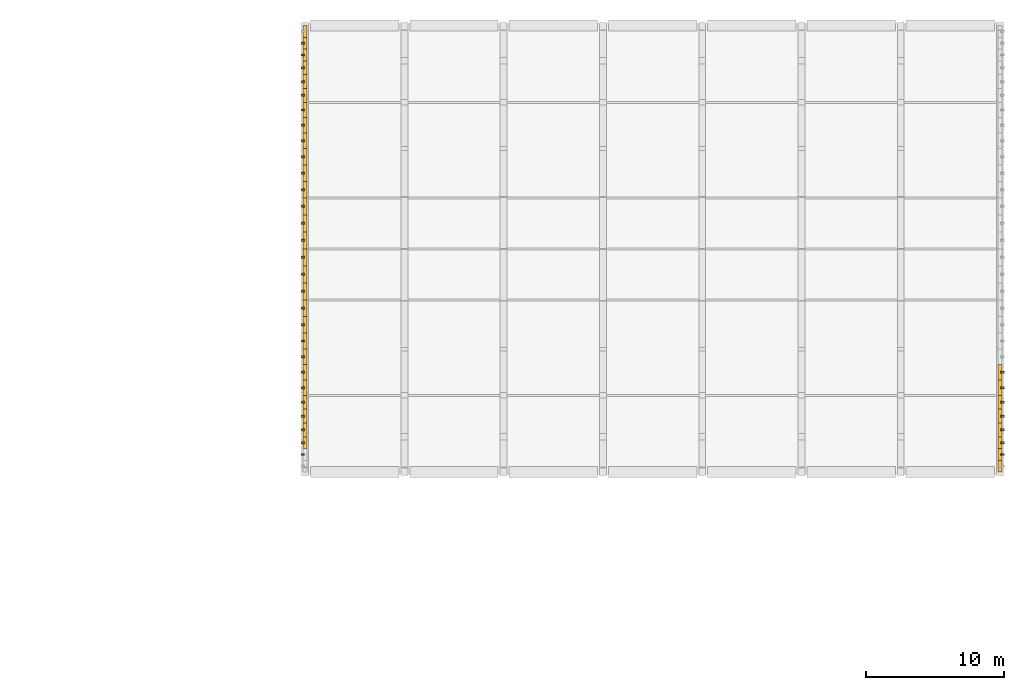
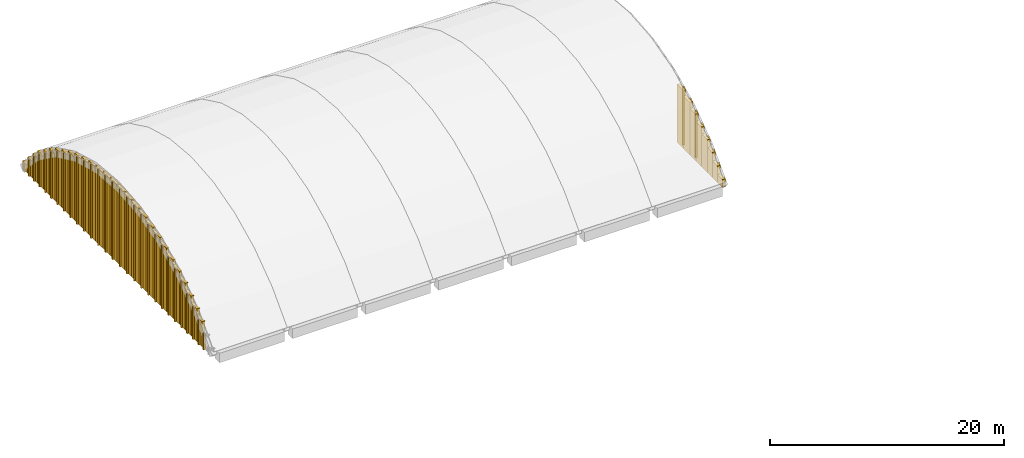
# One storey, part 15 of 16: 71 coverings.
"""IFC4 building model written with IfcOpenShell, lengths in metres."""

from ifc_helpers import new_model, si_unit, direction, frame, frame_2d, origin, origin_2d, place, context, subcontext, project, spatial, rectangle, extrude, material, layer, layer_set, type_object, element, save


model = new_model("IFC4")

# Units and contexts
model_context = context("Model", 3, precision=1e-05, world=origin(), true_north=direction((0.0, 1.0)))
body_context = subcontext(model_context, "Body", "Model", "MODEL_VIEW")
ifc_project = project(units=[si_unit("LENGTHUNIT", "METRE"), si_unit("AREAUNIT", "SQUARE_METRE"), si_unit("VOLUMEUNIT", "CUBIC_METRE"), si_unit("PLANEANGLEUNIT", "RADIAN"), si_unit("MASSUNIT", "GRAM", prefix="KILO")], contexts=[model_context])

# Site, building, storey
site_placement = place(None, origin())
site = spatial("IfcSite", under=ifc_project, at=site_placement, CompositionType="ELEMENT")
building_placement = place(site_placement, origin())
building = spatial("IfcBuilding", under=site, at=building_placement, Name="Sardonyx Promenade Sports Hall", CompositionType="ELEMENT")
storey_placement = place(building_placement, frame((0.0, 0.0, 24.800048828125)))
storey = spatial("IfcBuildingStorey", under=building, at=storey_placement, Name="RF", CompositionType="ELEMENT", Elevation=24.800048828125)

# Coverings
ifc_material_1 = material(Name="Glulam GL28h", Category="wood")
ifc_layer_1 = layer(ifc_material_1, 0.110107421875)
ifc_layer_set_1 = layer_set([ifc_layer_1], Name="Cov_Louvre_GL28h")
covering_type_1 = type_object("IfcCoveringType", Name="Cov_Louvre_GL28h", PredefinedType="MOLDING", material=ifc_layer_set_1)
covering_1_placement = place(storey_placement, frame((28.6201171875, 73.28369140625, -4.419921875), z_axis=(0.0, 0.0, 1.0), x_axis=(1.0, 0.0, 0.0)))
element("IfcCovering", 1, at=covering_1_placement, inside=storey, type_object=covering_type_1, Name="Tympanum vertical stone mullion V1-W #2", PredefinedType="MOLDING", context=body_context, shape_type="SweptSolid", body=[
    extrude(rectangle(XDim=0.219970703125, YDim=0.139892578125, at=origin_2d()), origin(), (0.0, 0.0, 1.0), 1.722412109375),
])
covering_2_placement = place(storey_placement, frame((28.6201171875, 74.139404296875, -4.420166015625), z_axis=(0.0, 0.0, 1.0), x_axis=(1.0, 0.0, 0.0)))
element("IfcCovering", 2, at=covering_2_placement, inside=storey, type_object=covering_type_1, Name="Tympanum vertical stone mullion V1-W #3", PredefinedType="MOLDING", context=body_context, shape_type="SweptSolid", body=[
    extrude(rectangle(XDim=0.219970703125, YDim=0.139892578125, at=origin_2d()), origin(), (0.0, 0.0, 1.0), 2.6171875),
])
covering_3_placement = place(storey_placement, frame((28.6201171875, 75.068359375, -4.419921875), z_axis=(0.0, 0.0, 1.0), x_axis=(1.0, 0.0, 0.0)))
element("IfcCovering", 3, at=covering_3_placement, inside=storey, type_object=covering_type_1, Name="Tympanum vertical stone mullion V1-W #4", PredefinedType="MOLDING", context=body_context, shape_type="SweptSolid", body=[
    extrude(rectangle(XDim=0.219970703125, YDim=0.139892578125, at=origin_2d()), origin(), (0.0, 0.0, 1.0), 3.428466796875),
])
covering_4_placement = place(storey_placement, frame((28.6201171875, 76.070068359375, -4.419921875), z_axis=(0.0, 0.0, 1.0), x_axis=(1.0, 0.0, 0.0)))
element("IfcCovering", 4, at=covering_4_placement, inside=storey, type_object=covering_type_1, Name="Tympanum vertical stone mullion V1-W #5", PredefinedType="MOLDING", context=body_context, shape_type="SweptSolid", body=[
    extrude(rectangle(XDim=0.219970703125, YDim=0.139892578125, at=origin_2d()), origin(), (0.0, 0.0, 1.0), 4.156005859375),
])
covering_5_placement = place(storey_placement, frame((28.6201171875, 77.07177734375, -4.420166015625), z_axis=(0.0, 0.0, 1.0), x_axis=(1.0, 0.0, 0.0)))
element("IfcCovering", 5, at=covering_5_placement, inside=storey, type_object=covering_type_1, Name="Tympanum vertical stone mullion V1-W #6", PredefinedType="MOLDING", context=body_context, shape_type="SweptSolid", body=[
    extrude(rectangle(XDim=0.219970703125, YDim=0.139892578125, at=origin_2d()), origin(), (0.0, 0.0, 1.0), 4.8837890625),
])
covering_6_placement = place(storey_placement, frame((28.6201171875, 78.130615234375, -4.419921875), z_axis=(0.0, 0.0, 1.0), x_axis=(1.0, 0.0, 0.0)))
element("IfcCovering", 6, at=covering_6_placement, inside=storey, type_object=covering_type_1, Name="Tympanum vertical stone mullion V1-W #7", PredefinedType="MOLDING", context=body_context, shape_type="SweptSolid", body=[
    extrude(rectangle(XDim=0.219970703125, YDim=0.139892578125, at=origin_2d()), origin(), (0.0, 0.0, 1.0), 5.51611328125),
])
covering_7_placement = place(storey_placement, frame((28.6201171875, 79.24609375, -4.420166015625), z_axis=(0.0, 0.0, 1.0), x_axis=(1.0, 0.0, 0.0)))
element("IfcCovering", 7, at=covering_7_placement, inside=storey, type_object=covering_type_1, Name="Tympanum vertical stone mullion V1-W #8", PredefinedType="MOLDING", context=body_context, shape_type="SweptSolid", body=[
    extrude(rectangle(XDim=0.219970703125, YDim=0.139892578125, at=origin_2d()), origin(), (0.0, 0.0, 1.0), 6.05322265625),
])
covering_8_placement = place(storey_placement, frame((28.6201171875, 80.36181640625, -4.419921875), z_axis=(0.0, 0.0, 1.0), x_axis=(1.0, 0.0, 0.0)))
element("IfcCovering", 8, at=covering_8_placement, inside=storey, type_object=covering_type_1, Name="Tympanum vertical stone mullion V1-W #9", PredefinedType="MOLDING", context=body_context, shape_type="SweptSolid", body=[
    extrude(rectangle(XDim=0.219970703125, YDim=0.139892578125, at=origin_2d()), origin(), (0.0, 0.0, 1.0), 6.590576171875),
])
covering_9_placement = place(storey_placement, frame((28.6201171875, 81.516357421875, -4.419921875), z_axis=(0.0, 0.0, 1.0), x_axis=(1.0, 0.0, 0.0)))
element("IfcCovering", 9, at=covering_9_placement, inside=storey, type_object=covering_type_1, Name="Tympanum vertical stone mullion V1-W #10", PredefinedType="MOLDING", context=body_context, shape_type="SweptSolid", body=[
    extrude(rectangle(XDim=0.219970703125, YDim=0.139892578125, at=origin_2d()), origin(), (0.0, 0.0, 1.0), 7.023681640625),
])
covering_10_placement = place(storey_placement, frame((28.6201171875, 82.7099609375, -4.419921875), z_axis=(0.0, 0.0, 1.0), x_axis=(1.0, 0.0, 0.0)))
element("IfcCovering", 10, at=covering_10_placement, inside=storey, type_object=covering_type_1, Name="Tympanum vertical stone mullion V1-W #11", PredefinedType="MOLDING", context=body_context, shape_type="SweptSolid", body=[
    extrude(rectangle(XDim=0.219970703125, YDim=0.139892578125, at=origin_2d()), origin(), (0.0, 0.0, 1.0), 7.35302734375),
])
covering_11_placement = place(storey_placement, frame((28.6201171875, 83.903564453125, -4.419921875), z_axis=(0.0, 0.0, 1.0), x_axis=(1.0, 0.0, 0.0)))
element("IfcCovering", 11, at=covering_11_placement, inside=storey, type_object=covering_type_1, Name="Tympanum vertical stone mullion V1-W #12", PredefinedType="MOLDING", context=body_context, shape_type="SweptSolid", body=[
    extrude(rectangle(XDim=0.219970703125, YDim=0.139892578125, at=origin_2d()), origin(), (0.0, 0.0, 1.0), 7.682373046875),
])
covering_12_placement = place(storey_placement, frame((28.6201171875, 85.116943359375, -4.419921875), z_axis=(0.0, 0.0, 1.0), x_axis=(1.0, 0.0, 0.0)))
element("IfcCovering", 12, at=covering_12_placement, inside=storey, type_object=covering_type_1, Name="Tympanum vertical stone mullion V1-W #13", PredefinedType="MOLDING", context=body_context, shape_type="SweptSolid", body=[
    extrude(rectangle(XDim=0.219970703125, YDim=0.139892578125, at=origin_2d()), origin(), (0.0, 0.0, 1.0), 7.902587890625),
])
covering_13_placement = place(storey_placement, frame((28.6201171875, 86.35009765625, -4.419921875), z_axis=(0.0, 0.0, 1.0), x_axis=(1.0, 0.0, 0.0)))
element("IfcCovering", 13, at=covering_13_placement, inside=storey, type_object=covering_type_1, Name="Tympanum vertical stone mullion V1-W #14", PredefinedType="MOLDING", context=body_context, shape_type="SweptSolid", body=[
    extrude(rectangle(XDim=0.219970703125, YDim=0.139892578125, at=origin_2d()), origin(), (0.0, 0.0, 1.0), 8.013427734375),
])
for number, where, z_axis, x_axis, name in (
    (14, (28.6201171875, 87.58349609375, -4.419921875), (0.0, 0.0, 1.0), (1.0, 0.0, 0.0), "Tympanum vertical stone mullion V1-W #15"),
    (15, (28.6201171875, 88.816650390625, -4.419921875), (0.0, 0.0, 1.0), (1.0, 0.0, 0.0), "Tympanum vertical stone mullion V1-W #16"),
):
    element("IfcCovering", number, at=place(storey_placement, frame(where, z_axis=z_axis, x_axis=x_axis)), inside=storey, type_object=covering_type_1, Name=name, PredefinedType="MOLDING", context=body_context, shape_type="SweptSolid", body=[
        extrude(rectangle(XDim=0.219970703125, YDim=0.139892578125, at=origin_2d()), origin(), (0.0, 0.0, 1.0), 8.12451171875),
    ])
covering_14_placement = place(storey_placement, frame((28.6201171875, 90.0498046875, -4.419921875), z_axis=(0.0, 0.0, 1.0), x_axis=(1.0, 0.0, 0.0)))
element("IfcCovering", 16, at=covering_14_placement, inside=storey, type_object=covering_type_1, Name="Tympanum vertical stone mullion V1-W #17", PredefinedType="MOLDING", context=body_context, shape_type="SweptSolid", body=[
    extrude(rectangle(XDim=0.219970703125, YDim=0.139892578125, at=origin_2d()), origin(), (0.0, 0.0, 1.0), 8.013427734375),
])
covering_15_placement = place(storey_placement, frame((28.6201171875, 91.282958984375, -4.419921875), z_axis=(0.0, 0.0, 1.0), x_axis=(1.0, 0.0, 0.0)))
element("IfcCovering", 17, at=covering_15_placement, inside=storey, type_object=covering_type_1, Name="Tympanum vertical stone mullion V1-W #18", PredefinedType="MOLDING", context=body_context, shape_type="SweptSolid", body=[
    extrude(rectangle(XDim=0.219970703125, YDim=0.139892578125, at=origin_2d()), origin(), (0.0, 0.0, 1.0), 7.902587890625),
])
covering_16_placement = place(storey_placement, frame((28.6201171875, 92.496337890625, -4.419921875), z_axis=(0.0, 0.0, 1.0), x_axis=(1.0, 0.0, 0.0)))
element("IfcCovering", 18, at=covering_16_placement, inside=storey, type_object=covering_type_1, Name="Tympanum vertical stone mullion V1-W #19", PredefinedType="MOLDING", context=body_context, shape_type="SweptSolid", body=[
    extrude(rectangle(XDim=0.219970703125, YDim=0.139892578125, at=origin_2d()), origin(), (0.0, 0.0, 1.0), 7.682373046875),
])
covering_17_placement = place(storey_placement, frame((28.6201171875, 93.68994140625, -4.419921875), z_axis=(0.0, 0.0, 1.0), x_axis=(1.0, 0.0, 0.0)))
element("IfcCovering", 19, at=covering_17_placement, inside=storey, type_object=covering_type_1, Name="Tympanum vertical stone mullion V1-W #20", PredefinedType="MOLDING", context=body_context, shape_type="SweptSolid", body=[
    extrude(rectangle(XDim=0.219970703125, YDim=0.139892578125, at=origin_2d()), origin(), (0.0, 0.0, 1.0), 7.35302734375),
])
covering_18_placement = place(storey_placement, frame((28.6201171875, 94.883544921875, -4.419921875), z_axis=(0.0, 0.0, 1.0), x_axis=(1.0, 0.0, 0.0)))
element("IfcCovering", 20, at=covering_18_placement, inside=storey, type_object=covering_type_1, Name="Tympanum vertical stone mullion V1-W #21", PredefinedType="MOLDING", context=body_context, shape_type="SweptSolid", body=[
    extrude(rectangle(XDim=0.219970703125, YDim=0.139892578125, at=origin_2d()), origin(), (0.0, 0.0, 1.0), 7.023681640625),
])
covering_19_placement = place(storey_placement, frame((28.6201171875, 96.0380859375, -4.419921875), z_axis=(0.0, 0.0, 1.0), x_axis=(1.0, 0.0, 0.0)))
element("IfcCovering", 21, at=covering_19_placement, inside=storey, type_object=covering_type_1, Name="Tympanum vertical stone mullion V1-W #22", PredefinedType="MOLDING", context=body_context, shape_type="SweptSolid", body=[
    extrude(rectangle(XDim=0.219970703125, YDim=0.139892578125, at=origin_2d()), origin(), (0.0, 0.0, 1.0), 6.590576171875),
])
covering_20_placement = place(storey_placement, frame((28.6201171875, 97.15380859375, -4.420166015625), z_axis=(0.0, 0.0, 1.0), x_axis=(1.0, 0.0, 0.0)))
element("IfcCovering", 22, at=covering_20_placement, inside=storey, type_object=covering_type_1, Name="Tympanum vertical stone mullion V1-W #23", PredefinedType="MOLDING", context=body_context, shape_type="SweptSolid", body=[
    extrude(rectangle(XDim=0.219970703125, YDim=0.139892578125, at=origin_2d()), origin(), (0.0, 0.0, 1.0), 6.05322265625),
])
covering_21_placement = place(storey_placement, frame((28.6201171875, 98.26953125, -4.419921875), z_axis=(0.0, 0.0, 1.0), x_axis=(1.0, 0.0, 0.0)))
element("IfcCovering", 23, at=covering_21_placement, inside=storey, type_object=covering_type_1, Name="Tympanum vertical stone mullion V1-W #24", PredefinedType="MOLDING", context=body_context, shape_type="SweptSolid", body=[
    extrude(rectangle(XDim=0.219970703125, YDim=0.139892578125, at=origin_2d()), origin(), (0.0, 0.0, 1.0), 5.51611328125),
])
covering_22_placement = place(storey_placement, frame((28.6201171875, 99.328125, -4.420166015625), z_axis=(0.0, 0.0, 1.0), x_axis=(1.0, 0.0, 0.0)))
element("IfcCovering", 24, at=covering_22_placement, inside=storey, type_object=covering_type_1, Name="Tympanum vertical stone mullion V1-W #25", PredefinedType="MOLDING", context=body_context, shape_type="SweptSolid", body=[
    extrude(rectangle(XDim=0.219970703125, YDim=0.139892578125, at=origin_2d()), origin(), (0.0, 0.0, 1.0), 4.8837890625),
])
covering_23_placement = place(storey_placement, frame((28.6201171875, 100.329833984375, -4.419921875), z_axis=(0.0, 0.0, 1.0), x_axis=(1.0, 0.0, 0.0)))
element("IfcCovering", 25, at=covering_23_placement, inside=storey, type_object=covering_type_1, Name="Tympanum vertical stone mullion V1-W #26", PredefinedType="MOLDING", context=body_context, shape_type="SweptSolid", body=[
    extrude(rectangle(XDim=0.219970703125, YDim=0.139892578125, at=origin_2d()), origin(), (0.0, 0.0, 1.0), 4.156005859375),
])
covering_24_placement = place(storey_placement, frame((28.6201171875, 101.331787109375, -4.419921875), z_axis=(0.0, 0.0, 1.0), x_axis=(1.0, 0.0, 0.0)))
element("IfcCovering", 26, at=covering_24_placement, inside=storey, type_object=covering_type_1, Name="Tympanum vertical stone mullion V1-W #27", PredefinedType="MOLDING", context=body_context, shape_type="SweptSolid", body=[
    extrude(rectangle(XDim=0.219970703125, YDim=0.139892578125, at=origin_2d()), origin(), (0.0, 0.0, 1.0), 3.428466796875),
])
covering_25_placement = place(storey_placement, frame((28.6201171875, 102.260498046875, -4.420166015625), z_axis=(0.0, 0.0, 1.0), x_axis=(1.0, 0.0, 0.0)))
element("IfcCovering", 27, at=covering_25_placement, inside=storey, type_object=covering_type_1, Name="Tympanum vertical stone mullion V1-W #28", PredefinedType="MOLDING", context=body_context, shape_type="SweptSolid", body=[
    extrude(rectangle(XDim=0.219970703125, YDim=0.139892578125, at=origin_2d()), origin(), (0.0, 0.0, 1.0), 2.6171875),
])
for number, where, z_axis, x_axis, name in (
    (28, (28.6201171875, 103.1162109375, -4.419921875), (0.0, 0.0, 1.0), (1.0, 0.0, 0.0), "Tympanum vertical stone mullion V1-W #29"),
    (29, (79.3798828125, 73.28369140625, -4.419921875), (0.0, 0.0, 1.0), (1.0, 0.0, 0.0), "Tympanum vertical stone mullion V1-E #2"),
):
    element("IfcCovering", number, at=place(storey_placement, frame(where, z_axis=z_axis, x_axis=x_axis)), inside=storey, type_object=covering_type_1, Name=name, PredefinedType="MOLDING", context=body_context, shape_type="SweptSolid", body=[
        extrude(rectangle(XDim=0.219970703125, YDim=0.139892578125, at=origin_2d()), origin(), (0.0, 0.0, 1.0), 1.722412109375),
    ])
covering_26_placement = place(storey_placement, frame((79.3798828125, 74.139404296875, -4.420166015625), z_axis=(0.0, 0.0, 1.0), x_axis=(1.0, 0.0, 0.0)))
element("IfcCovering", 30, at=covering_26_placement, inside=storey, type_object=covering_type_1, Name="Tympanum vertical stone mullion V1-E #3", PredefinedType="MOLDING", context=body_context, shape_type="SweptSolid", body=[
    extrude(rectangle(XDim=0.219970703125, YDim=0.139892578125, at=origin_2d()), origin(), (0.0, 0.0, 1.0), 2.6171875),
])
covering_27_placement = place(storey_placement, frame((79.3798828125, 75.068359375, -4.419921875), z_axis=(0.0, 0.0, 1.0), x_axis=(1.0, 0.0, 0.0)))
element("IfcCovering", 31, at=covering_27_placement, inside=storey, type_object=covering_type_1, Name="Tympanum vertical stone mullion V1-E #4", PredefinedType="MOLDING", context=body_context, shape_type="SweptSolid", body=[
    extrude(rectangle(XDim=0.219970703125, YDim=0.139892578125, at=origin_2d()), origin(), (0.0, 0.0, 1.0), 3.428466796875),
])
covering_28_placement = place(storey_placement, frame((79.3798828125, 76.070068359375, -4.419921875), z_axis=(0.0, 0.0, 1.0), x_axis=(1.0, 0.0, 0.0)))
element("IfcCovering", 32, at=covering_28_placement, inside=storey, type_object=covering_type_1, Name="Tympanum vertical stone mullion V1-E #5", PredefinedType="MOLDING", context=body_context, shape_type="SweptSolid", body=[
    extrude(rectangle(XDim=0.219970703125, YDim=0.139892578125, at=origin_2d()), origin(), (0.0, 0.0, 1.0), 4.156005859375),
])
covering_29_placement = place(storey_placement, frame((79.3798828125, 77.07177734375, -4.420166015625), z_axis=(0.0, 0.0, 1.0), x_axis=(1.0, 0.0, 0.0)))
element("IfcCovering", 33, at=covering_29_placement, inside=storey, type_object=covering_type_1, Name="Tympanum vertical stone mullion V1-E #6", PredefinedType="MOLDING", context=body_context, shape_type="SweptSolid", body=[
    extrude(rectangle(XDim=0.219970703125, YDim=0.139892578125, at=origin_2d()), origin(), (0.0, 0.0, 1.0), 4.8837890625),
])
covering_30_placement = place(storey_placement, frame((79.3798828125, 78.130615234375, -4.419921875), z_axis=(0.0, 0.0, 1.0), x_axis=(1.0, 0.0, 0.0)))
element("IfcCovering", 34, at=covering_30_placement, inside=storey, type_object=covering_type_1, Name="Tympanum vertical stone mullion V1-E #7", PredefinedType="MOLDING", context=body_context, shape_type="SweptSolid", body=[
    extrude(rectangle(XDim=0.219970703125, YDim=0.139892578125, at=origin_2d()), origin(), (0.0, 0.0, 1.0), 5.51611328125),
])
covering_31_placement = place(storey_placement, frame((79.3798828125, 79.24609375, -4.420166015625), z_axis=(0.0, 0.0, 1.0), x_axis=(1.0, 0.0, 0.0)))
element("IfcCovering", 35, at=covering_31_placement, inside=storey, type_object=covering_type_1, Name="Tympanum vertical stone mullion V1-E #8", PredefinedType="MOLDING", context=body_context, shape_type="SweptSolid", body=[
    extrude(rectangle(XDim=0.219970703125, YDim=0.139892578125, at=origin_2d()), origin(), (0.0, 0.0, 1.0), 6.05322265625),
])
ifc_material_2 = material(Name="Carved Cape red sandstone ashlar", Category="masonry")
ifc_layer_2 = layer(ifc_material_2, 0.239990234375)
ifc_layer_set_2 = layer_set([ifc_layer_2], Name="Cov_Mughal_Arch")
covering_type_2 = type_object("IfcCoveringType", Name="Cov_Mughal_Arch", PredefinedType="CLADDING", material=ifc_layer_set_2)
covering_32_placement = place(storey_placement, frame((28.800048828125, 73.711669921875, -4.420166015625), z_axis=(0.0, 0.0, 1.0), x_axis=(0.0, 1.0, 0.0)))
element("IfcCovering", 36, at=covering_32_placement, inside=storey, type_object=covering_type_2, Name="Barrel-vault arched tympanum V1-W #3", PredefinedType="CLADDING", context=body_context, shape_type="SweptSolid", body=[
    extrude(rectangle(XDim=0.855712890625, YDim=0.280029296875, at=frame_2d((0.427734375, 0.0))), origin(), (0.0, 0.0, 1.0), 2.6171875),
])
covering_33_placement = place(storey_placement, frame((28.800048828125, 74.5673828125, -4.420166015625), z_axis=(0.0, 0.0, 1.0), x_axis=(0.0, 1.0, 0.0)))
element("IfcCovering", 37, at=covering_33_placement, inside=storey, type_object=covering_type_2, Name="Barrel-vault arched tympanum V1-W #4", PredefinedType="CLADDING", context=body_context, shape_type="SweptSolid", body=[
    extrude(rectangle(XDim=1.001708984375, YDim=0.280029296875, at=frame_2d((0.5009765625, 0.0))), origin(), (0.0, 0.0, 1.0), 3.428466796875),
])
covering_34_placement = place(storey_placement, frame((28.800048828125, 75.569091796875, -4.420166015625), z_axis=(0.0, 0.0, 1.0), x_axis=(0.0, 1.0, 0.0)))
element("IfcCovering", 38, at=covering_34_placement, inside=storey, type_object=covering_type_2, Name="Barrel-vault arched tympanum V1-W #5", PredefinedType="CLADDING", context=body_context, shape_type="SweptSolid", body=[
    extrude(rectangle(XDim=1.001953125, YDim=0.280029296875, at=frame_2d((0.5009765625, 0.0))), origin(), (0.0, 0.0, 1.0), 4.15625),
])
covering_35_placement = place(storey_placement, frame((28.800048828125, 76.571044921875, -4.420166015625), z_axis=(0.0, 0.0, 1.0), x_axis=(0.0, 1.0, 0.0)))
element("IfcCovering", 39, at=covering_35_placement, inside=storey, type_object=covering_type_2, Name="Barrel-vault arched tympanum V1-W #6", PredefinedType="CLADDING", context=body_context, shape_type="SweptSolid", body=[
    extrude(rectangle(XDim=1.001708984375, YDim=0.280029296875, at=frame_2d((0.5009765625, 0.0))), origin(), (0.0, 0.0, 1.0), 4.8837890625),
])
covering_36_placement = place(storey_placement, frame((28.800048828125, 77.57275390625, -4.420166015625), z_axis=(0.0, 0.0, 1.0), x_axis=(0.0, 1.0, 0.0)))
element("IfcCovering", 40, at=covering_36_placement, inside=storey, type_object=covering_type_2, Name="Barrel-vault arched tympanum V1-W #7", PredefinedType="CLADDING", context=body_context, shape_type="SweptSolid", body=[
    extrude(rectangle(XDim=1.11572265625, YDim=0.280029296875, at=frame_2d((0.557861328125, 0.0))), origin(), (0.0, 0.0, 1.0), 5.516357421875),
])
covering_37_placement = place(storey_placement, frame((28.800048828125, 78.6884765625, -4.420166015625), z_axis=(0.0, 0.0, 1.0), x_axis=(0.0, 1.0, 0.0)))
element("IfcCovering", 41, at=covering_37_placement, inside=storey, type_object=covering_type_2, Name="Barrel-vault arched tympanum V1-W #8", PredefinedType="CLADDING", context=body_context, shape_type="SweptSolid", body=[
    extrude(rectangle(XDim=1.115478515625, YDim=0.280029296875, at=frame_2d((0.5576171875, 0.0))), origin(), (0.0, 0.0, 1.0), 6.053466796875),
])
covering_38_placement = place(storey_placement, frame((28.800048828125, 79.803955078125, -4.420166015625), z_axis=(0.0, 0.0, 1.0), x_axis=(0.0, 1.0, 0.0)))
element("IfcCovering", 42, at=covering_38_placement, inside=storey, type_object=covering_type_2, Name="Barrel-vault arched tympanum V1-W #9", PredefinedType="CLADDING", context=body_context, shape_type="SweptSolid", body=[
    extrude(rectangle(XDim=1.11572265625, YDim=0.280029296875, at=frame_2d((0.557861328125, 0.0))), origin(), (0.0, 0.0, 1.0), 6.590576171875),
])
covering_39_placement = place(storey_placement, frame((28.800048828125, 80.919677734375, -4.420166015625), z_axis=(0.0, 0.0, 1.0), x_axis=(0.0, 1.0, 0.0)))
element("IfcCovering", 43, at=covering_39_placement, inside=storey, type_object=covering_type_2, Name="Barrel-vault arched tympanum V1-W #10", PredefinedType="CLADDING", context=body_context, shape_type="SweptSolid", body=[
    extrude(rectangle(XDim=1.193603515625, YDim=0.280029296875, at=frame_2d((0.5966796875, 0.0))), origin(), (0.0, 0.0, 1.0), 7.02392578125),
])
covering_40_placement = place(storey_placement, frame((28.800048828125, 82.11328125, -4.420166015625), z_axis=(0.0, 0.0, 1.0), x_axis=(0.0, 1.0, 0.0)))
element("IfcCovering", 44, at=covering_40_placement, inside=storey, type_object=covering_type_2, Name="Barrel-vault arched tympanum V1-W #11", PredefinedType="CLADDING", context=body_context, shape_type="SweptSolid", body=[
    extrude(rectangle(XDim=1.193603515625, YDim=0.280029296875, at=frame_2d((0.5966796875, 0.0))), origin(), (0.0, 0.0, 1.0), 7.353271484375),
])
covering_41_placement = place(storey_placement, frame((28.800048828125, 83.306884765625, -4.420166015625), z_axis=(0.0, 0.0, 1.0), x_axis=(0.0, 1.0, 0.0)))
element("IfcCovering", 45, at=covering_41_placement, inside=storey, type_object=covering_type_2, Name="Barrel-vault arched tympanum V1-W #12", PredefinedType="CLADDING", context=body_context, shape_type="SweptSolid", body=[
    extrude(rectangle(XDim=1.193603515625, YDim=0.280029296875, at=frame_2d((0.5966796875, 0.0))), origin(), (0.0, 0.0, 1.0), 7.6826171875),
])
covering_42_placement = place(storey_placement, frame((28.800048828125, 84.50048828125, -4.420166015625), z_axis=(0.0, 0.0, 1.0), x_axis=(0.0, 1.0, 0.0)))
element("IfcCovering", 46, at=covering_42_placement, inside=storey, type_object=covering_type_2, Name="Barrel-vault arched tympanum V1-W #13", PredefinedType="CLADDING", context=body_context, shape_type="SweptSolid", body=[
    extrude(rectangle(XDim=1.233154296875, YDim=0.280029296875, at=frame_2d((0.61669921875, 0.0))), origin(), (0.0, 0.0, 1.0), 7.90283203125),
])
covering_43_placement = place(storey_placement, frame((28.800048828125, 85.733642578125, -4.420166015625), z_axis=(0.0, 0.0, 1.0), x_axis=(0.0, 1.0, 0.0)))
element("IfcCovering", 47, at=covering_43_placement, inside=storey, type_object=covering_type_2, Name="Barrel-vault arched tympanum V1-W #14", PredefinedType="CLADDING", context=body_context, shape_type="SweptSolid", body=[
    extrude(rectangle(XDim=1.233154296875, YDim=0.280029296875, at=frame_2d((0.61669921875, 0.0))), origin(), (0.0, 0.0, 1.0), 8.013671875),
])
for number, where, z_axis, x_axis, name in (
    (48, (28.800048828125, 86.966796875, -4.420166015625), (0.0, 0.0, 1.0), (0.0, 1.0, 0.0), "Barrel-vault arched tympanum V1-W #15"),
    (49, (28.800048828125, 88.199951171875, -4.420166015625), (0.0, 0.0, 1.0), (0.0, 1.0, 0.0), "Barrel-vault arched tympanum V1-W #16"),
):
    element("IfcCovering", number, at=place(storey_placement, frame(where, z_axis=z_axis, x_axis=x_axis)), inside=storey, type_object=covering_type_2, Name=name, PredefinedType="CLADDING", context=body_context, shape_type="SweptSolid", body=[
        extrude(rectangle(XDim=1.233154296875, YDim=0.280029296875, at=frame_2d((0.61669921875, 0.0))), origin(), (0.0, 0.0, 1.0), 8.12451171875),
    ])
covering_44_placement = place(storey_placement, frame((28.800048828125, 89.43310546875, -4.420166015625), z_axis=(0.0, 0.0, 1.0), x_axis=(0.0, 1.0, 0.0)))
element("IfcCovering", 50, at=covering_44_placement, inside=storey, type_object=covering_type_2, Name="Barrel-vault arched tympanum V1-W #17", PredefinedType="CLADDING", context=body_context, shape_type="SweptSolid", body=[
    extrude(rectangle(XDim=1.2333984375, YDim=0.280029296875, at=frame_2d((0.61669921875, 0.0))), origin(), (0.0, 0.0, 1.0), 8.013671875),
])
covering_45_placement = place(storey_placement, frame((28.800048828125, 90.66650390625, -4.420166015625), z_axis=(0.0, 0.0, 1.0), x_axis=(0.0, 1.0, 0.0)))
element("IfcCovering", 51, at=covering_45_placement, inside=storey, type_object=covering_type_2, Name="Barrel-vault arched tympanum V1-W #18", PredefinedType="CLADDING", context=body_context, shape_type="SweptSolid", body=[
    extrude(rectangle(XDim=1.233154296875, YDim=0.280029296875, at=frame_2d((0.61669921875, 0.0))), origin(), (0.0, 0.0, 1.0), 7.90283203125),
])
covering_46_placement = place(storey_placement, frame((28.800048828125, 91.899658203125, -4.420166015625), z_axis=(0.0, 0.0, 1.0), x_axis=(0.0, 1.0, 0.0)))
element("IfcCovering", 52, at=covering_46_placement, inside=storey, type_object=covering_type_2, Name="Barrel-vault arched tympanum V1-W #19", PredefinedType="CLADDING", context=body_context, shape_type="SweptSolid", body=[
    extrude(rectangle(XDim=1.193603515625, YDim=0.280029296875, at=frame_2d((0.5966796875, 0.0))), origin(), (0.0, 0.0, 1.0), 7.6826171875),
])
covering_47_placement = place(storey_placement, frame((28.800048828125, 93.09326171875, -4.420166015625), z_axis=(0.0, 0.0, 1.0), x_axis=(0.0, 1.0, 0.0)))
element("IfcCovering", 53, at=covering_47_placement, inside=storey, type_object=covering_type_2, Name="Barrel-vault arched tympanum V1-W #20", PredefinedType="CLADDING", context=body_context, shape_type="SweptSolid", body=[
    extrude(rectangle(XDim=1.193603515625, YDim=0.280029296875, at=frame_2d((0.5966796875, 0.0))), origin(), (0.0, 0.0, 1.0), 7.353271484375),
])
covering_48_placement = place(storey_placement, frame((28.800048828125, 94.286865234375, -4.420166015625), z_axis=(0.0, 0.0, 1.0), x_axis=(0.0, 1.0, 0.0)))
element("IfcCovering", 54, at=covering_48_placement, inside=storey, type_object=covering_type_2, Name="Barrel-vault arched tympanum V1-W #21", PredefinedType="CLADDING", context=body_context, shape_type="SweptSolid", body=[
    extrude(rectangle(XDim=1.193603515625, YDim=0.280029296875, at=frame_2d((0.5966796875, 0.0))), origin(), (0.0, 0.0, 1.0), 7.02392578125),
])
covering_49_placement = place(storey_placement, frame((28.800048828125, 95.48046875, -4.420166015625), z_axis=(0.0, 0.0, 1.0), x_axis=(0.0, 1.0, 0.0)))
element("IfcCovering", 55, at=covering_49_placement, inside=storey, type_object=covering_type_2, Name="Barrel-vault arched tympanum V1-W #22", PredefinedType="CLADDING", context=body_context, shape_type="SweptSolid", body=[
    extrude(rectangle(XDim=1.115478515625, YDim=0.280029296875, at=frame_2d((0.5576171875, 0.0))), origin(), (0.0, 0.0, 1.0), 6.590576171875),
])
covering_50_placement = place(storey_placement, frame((28.800048828125, 96.595947265625, -4.420166015625), z_axis=(0.0, 0.0, 1.0), x_axis=(0.0, 1.0, 0.0)))
element("IfcCovering", 56, at=covering_50_placement, inside=storey, type_object=covering_type_2, Name="Barrel-vault arched tympanum V1-W #23", PredefinedType="CLADDING", context=body_context, shape_type="SweptSolid", body=[
    extrude(rectangle(XDim=1.11572265625, YDim=0.280029296875, at=frame_2d((0.557861328125, 0.0))), origin(), (0.0, 0.0, 1.0), 6.053466796875),
])
covering_51_placement = place(storey_placement, frame((28.800048828125, 97.711669921875, -4.420166015625), z_axis=(0.0, 0.0, 1.0), x_axis=(0.0, 1.0, 0.0)))
element("IfcCovering", 57, at=covering_51_placement, inside=storey, type_object=covering_type_2, Name="Barrel-vault arched tympanum V1-W #24", PredefinedType="CLADDING", context=body_context, shape_type="SweptSolid", body=[
    extrude(rectangle(XDim=1.115478515625, YDim=0.280029296875, at=frame_2d((0.5576171875, 0.0))), origin(), (0.0, 0.0, 1.0), 5.516357421875),
])
covering_52_placement = place(storey_placement, frame((28.800048828125, 98.8271484375, -4.420166015625), z_axis=(0.0, 0.0, 1.0), x_axis=(0.0, 1.0, 0.0)))
element("IfcCovering", 58, at=covering_52_placement, inside=storey, type_object=covering_type_2, Name="Barrel-vault arched tympanum V1-W #25", PredefinedType="CLADDING", context=body_context, shape_type="SweptSolid", body=[
    extrude(rectangle(XDim=1.001953125, YDim=0.280029296875, at=frame_2d((0.5009765625, 0.0))), origin(), (0.0, 0.0, 1.0), 4.8837890625),
])
covering_53_placement = place(storey_placement, frame((28.800048828125, 99.8291015625, -4.420166015625), z_axis=(0.0, 0.0, 1.0), x_axis=(0.0, 1.0, 0.0)))
element("IfcCovering", 59, at=covering_53_placement, inside=storey, type_object=covering_type_2, Name="Barrel-vault arched tympanum V1-W #26", PredefinedType="CLADDING", context=body_context, shape_type="SweptSolid", body=[
    extrude(rectangle(XDim=1.001708984375, YDim=0.280029296875, at=frame_2d((0.5009765625, 0.0))), origin(), (0.0, 0.0, 1.0), 4.15625),
])
covering_54_placement = place(storey_placement, frame((28.800048828125, 100.830810546875, -4.420166015625), z_axis=(0.0, 0.0, 1.0), x_axis=(0.0, 1.0, 0.0)))
element("IfcCovering", 60, at=covering_54_placement, inside=storey, type_object=covering_type_2, Name="Barrel-vault arched tympanum V1-W #27", PredefinedType="CLADDING", context=body_context, shape_type="SweptSolid", body=[
    extrude(rectangle(XDim=1.001708984375, YDim=0.280029296875, at=frame_2d((0.5009765625, 0.0))), origin(), (0.0, 0.0, 1.0), 3.428466796875),
])
covering_55_placement = place(storey_placement, frame((28.800048828125, 101.83251953125, -4.420166015625), z_axis=(0.0, 0.0, 1.0), x_axis=(0.0, 1.0, 0.0)))
element("IfcCovering", 61, at=covering_55_placement, inside=storey, type_object=covering_type_2, Name="Barrel-vault arched tympanum V1-W #28", PredefinedType="CLADDING", context=body_context, shape_type="SweptSolid", body=[
    extrude(rectangle(XDim=0.85595703125, YDim=0.280029296875, at=frame_2d((0.427978515625, 0.0))), origin(), (0.0, 0.0, 1.0), 2.6171875),
])
covering_56_placement = place(storey_placement, frame((28.800048828125, 102.6884765625, -4.420166015625), z_axis=(0.0, 0.0, 1.0), x_axis=(0.0, 1.0, 0.0)))
element("IfcCovering", 62, at=covering_56_placement, inside=storey, type_object=covering_type_2, Name="Barrel-vault arched tympanum V1-W #29", PredefinedType="CLADDING", context=body_context, shape_type="SweptSolid", body=[
    extrude(rectangle(XDim=0.855712890625, YDim=0.280029296875, at=frame_2d((0.427734375, 0.0))), origin(), (0.0, 0.0, 1.0), 1.722412109375),
])
for number, where, z_axis, x_axis, name in (
    (63, (28.800048828125, 103.544189453125, -4.420166015625), (0.0, 0.0, 1.0), (0.0, 1.0, 0.0), "Barrel-vault arched tympanum V1-W #30"),
    (64, (79.199951171875, 72.0, -4.420166015625), (0.0, 0.0, 1.0), (0.0, 1.0, 0.0), "Barrel-vault arched tympanum V1-E #1"),
):
    element("IfcCovering", number, at=place(storey_placement, frame(where, z_axis=z_axis, x_axis=x_axis)), inside=storey, type_object=covering_type_2, Name=name, PredefinedType="CLADDING", context=body_context, shape_type="SweptSolid", body=[
        extrude(rectangle(XDim=0.855712890625, YDim=0.280029296875, at=frame_2d((0.427734375, 0.0))), origin(), (0.0, 0.0, 1.0), 0.82763671875),
    ])
covering_57_placement = place(storey_placement, frame((79.199951171875, 72.855712890625, -4.420166015625), z_axis=(0.0, 0.0, 1.0), x_axis=(0.0, 1.0, 0.0)))
element("IfcCovering", 65, at=covering_57_placement, inside=storey, type_object=covering_type_2, Name="Barrel-vault arched tympanum V1-E #2", PredefinedType="CLADDING", context=body_context, shape_type="SweptSolid", body=[
    extrude(rectangle(XDim=0.85595703125, YDim=0.280029296875, at=frame_2d((0.427978515625, 0.0))), origin(), (0.0, 0.0, 1.0), 1.722412109375),
])
covering_58_placement = place(storey_placement, frame((79.199951171875, 73.711669921875, -4.420166015625), z_axis=(0.0, 0.0, 1.0), x_axis=(0.0, 1.0, 0.0)))
element("IfcCovering", 66, at=covering_58_placement, inside=storey, type_object=covering_type_2, Name="Barrel-vault arched tympanum V1-E #3", PredefinedType="CLADDING", context=body_context, shape_type="SweptSolid", body=[
    extrude(rectangle(XDim=0.855712890625, YDim=0.280029296875, at=frame_2d((0.427734375, 0.0))), origin(), (0.0, 0.0, 1.0), 2.6171875),
])
covering_59_placement = place(storey_placement, frame((79.199951171875, 74.5673828125, -4.420166015625), z_axis=(0.0, 0.0, 1.0), x_axis=(0.0, 1.0, 0.0)))
element("IfcCovering", 67, at=covering_59_placement, inside=storey, type_object=covering_type_2, Name="Barrel-vault arched tympanum V1-E #4", PredefinedType="CLADDING", context=body_context, shape_type="SweptSolid", body=[
    extrude(rectangle(XDim=1.001708984375, YDim=0.280029296875, at=frame_2d((0.5009765625, 0.0))), origin(), (0.0, 0.0, 1.0), 3.428466796875),
])
covering_60_placement = place(storey_placement, frame((79.199951171875, 75.569091796875, -4.420166015625), z_axis=(0.0, 0.0, 1.0), x_axis=(0.0, 1.0, 0.0)))
element("IfcCovering", 68, at=covering_60_placement, inside=storey, type_object=covering_type_2, Name="Barrel-vault arched tympanum V1-E #5", PredefinedType="CLADDING", context=body_context, shape_type="SweptSolid", body=[
    extrude(rectangle(XDim=1.001953125, YDim=0.280029296875, at=frame_2d((0.5009765625, 0.0))), origin(), (0.0, 0.0, 1.0), 4.15625),
])
covering_61_placement = place(storey_placement, frame((79.199951171875, 76.571044921875, -4.420166015625), z_axis=(0.0, 0.0, 1.0), x_axis=(0.0, 1.0, 0.0)))
element("IfcCovering", 69, at=covering_61_placement, inside=storey, type_object=covering_type_2, Name="Barrel-vault arched tympanum V1-E #6", PredefinedType="CLADDING", context=body_context, shape_type="SweptSolid", body=[
    extrude(rectangle(XDim=1.001708984375, YDim=0.280029296875, at=frame_2d((0.5009765625, 0.0))), origin(), (0.0, 0.0, 1.0), 4.8837890625),
])
covering_62_placement = place(storey_placement, frame((79.199951171875, 77.57275390625, -4.420166015625), z_axis=(0.0, 0.0, 1.0), x_axis=(0.0, 1.0, 0.0)))
element("IfcCovering", 70, at=covering_62_placement, inside=storey, type_object=covering_type_2, Name="Barrel-vault arched tympanum V1-E #7", PredefinedType="CLADDING", context=body_context, shape_type="SweptSolid", body=[
    extrude(rectangle(XDim=1.11572265625, YDim=0.280029296875, at=frame_2d((0.557861328125, 0.0))), origin(), (0.0, 0.0, 1.0), 5.516357421875),
])
covering_63_placement = place(storey_placement, frame((79.199951171875, 78.6884765625, -4.420166015625), z_axis=(0.0, 0.0, 1.0), x_axis=(0.0, 1.0, 0.0)))
element("IfcCovering", 71, at=covering_63_placement, inside=storey, type_object=covering_type_2, Name="Barrel-vault arched tympanum V1-E #8", PredefinedType="CLADDING", context=body_context, shape_type="SweptSolid", body=[
    extrude(rectangle(XDim=1.115478515625, YDim=0.280029296875, at=frame_2d((0.5576171875, 0.0))), origin(), (0.0, 0.0, 1.0), 6.053466796875),
])

save(model, "model.ifc")
